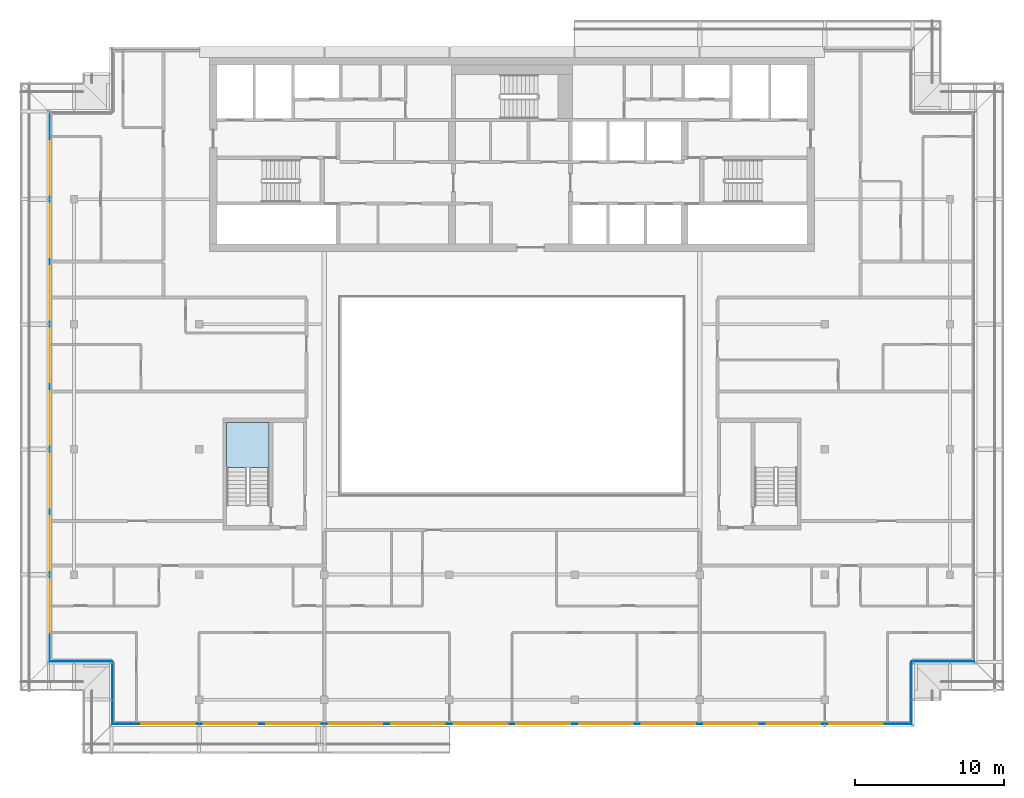
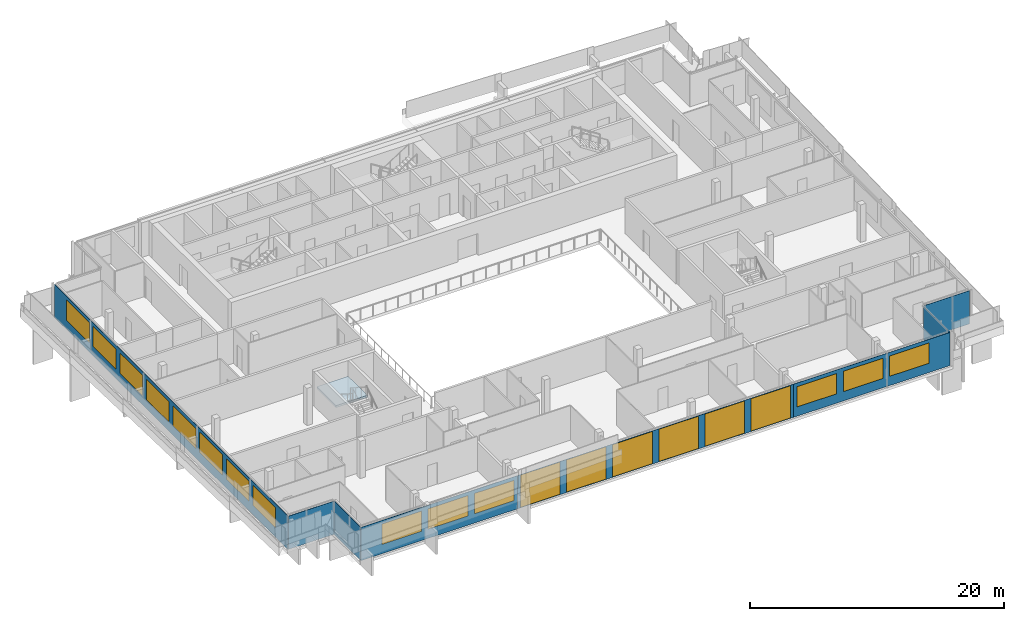
# One storey, part 13 of 27: 20 windows, 8 plates, 1 slab, 20 openings, 7 elements without a shape of their own.
"""IFC4 building model written with IfcOpenShell, lengths in metres."""

from ifc_helpers import new_model, si_unit, direction, frame, frame_2d, origin, place, context, subcontext, project, spatial, polyline, rectangle, outline, extrude, material, layer, layer_set, type_object, element, fill, aggregate, save


model = new_model("IFC4")

# Units and contexts
model_context = context("Model", 3, precision=1e-05, world=origin(), true_north=direction((0.0, 1.0)))
body_context = subcontext(model_context, "Body", "Model", "MODEL_VIEW")
ifc_project = project(units=[si_unit("LENGTHUNIT", "METRE"), si_unit("AREAUNIT", "SQUARE_METRE"), si_unit("VOLUMEUNIT", "CUBIC_METRE"), si_unit("PLANEANGLEUNIT", "RADIAN"), si_unit("MASSUNIT", "GRAM", prefix="KILO")], contexts=[model_context])

# Site, building, storey
site_placement = place(None, origin())
site = spatial("IfcSite", under=ifc_project, at=site_placement, CompositionType="ELEMENT")
building_placement = place(site_placement, origin())
building = spatial("IfcBuilding", under=site, at=building_placement, Name="Saffron Gate Tower", CompositionType="ELEMENT")
storey_placement = place(building_placement, frame((0.0, 0.0, 274.35009765625)))
storey = spatial("IfcBuildingStorey", under=building, at=storey_placement, Name="L66", CompositionType="ELEMENT", Elevation=274.35009765625)

# Curtain wall, plates, openings, windows
ifc_material_1 = material(Name="Aluminium, bronze anodised", Category="aluminium")
curtain_wall_type_1 = type_object("IfcCurtainWallType", Name="CWS1 curtain wall front facade", PredefinedType="NOTDEFINED", material=ifc_material_1)
curtain_wall_1_placement = place(storey_placement, origin())
curtain_wall_1 = element("IfcCurtainWall", 1, at=curtain_wall_1_placement, inside=storey, type_object=curtain_wall_type_1, Name="CWS1 run 1", PredefinedType="NOTDEFINED")
ifc_material_2 = material(Name="Clear low-iron laminated glass", Category="glass")
ifc_layer_1 = layer(ifc_material_2, 0.028076171875)
ifc_layer_set_1 = layer_set([ifc_layer_1], Name="CWS1 clear glass")
plate_type_1 = type_object("IfcPlateType", Name="CWS1 clear glass", PredefinedType="CURTAIN_PANEL", material=ifc_layer_set_1)
plate_1_placement = place(storey_placement, frame((75.030029296875, 30.174072265625, 0.0), z_axis=(0.0, 0.0, 1.0), x_axis=(1.0, 0.0, 0.0)))
plate_1 = element("IfcPlate", 2, at=plate_1_placement, type_object=plate_type_1, Name="CWS1 clear glass panel", PredefinedType="CURTAIN_PANEL", context=body_context, shape_type="SweptSolid", body=[
    extrude(rectangle(XDim=25.139892578125, YDim=0.028076171875, at=frame_2d((12.56982421875, 0.0))), origin(), (0.0, 0.0, 1.0), 3.199951171875),
])
opening_1_placement = place(plate_1_placement, frame((0.27001953125, 0.0, 0.050048828125)))
opening_1 = element("IfcOpeningElement", 3, at=opening_1_placement, cuts=plate_1, Name="Opening WA", PredefinedType="OPENING", context=body_context, shape_type="SweptSolid", body=[
    extrude(rectangle(XDim=3.60009765625, YDim=3.10009765625, at=frame_2d((1.800048828125, 1.550048828125))), frame((0.0, 0.02392578125, 0.0), z_axis=(0.0, -1.0, 0.0), x_axis=(1.0, 0.0, 0.0)), (0.0, 0.0, 1.0), 0.048095703125),
])
opening_2_placement = place(plate_1_placement, frame((4.469970703125, 0.0, 0.050048828125)))
opening_2 = element("IfcOpeningElement", 4, at=opening_2_placement, cuts=plate_1, Name="Opening WA", PredefinedType="OPENING", context=body_context, shape_type="SweptSolid", body=[
    extrude(rectangle(XDim=3.60009765625, YDim=3.10009765625, at=frame_2d((1.800048828125, 1.550048828125))), frame((0.0, 0.02392578125, 0.0), z_axis=(0.0, -1.0, 0.0), x_axis=(1.0, 0.0, 0.0)), (0.0, 0.0, 1.0), 0.048095703125),
])
opening_3_placement = place(plate_1_placement, frame((8.669921875, 0.0, 0.050048828125)))
opening_3 = element("IfcOpeningElement", 5, at=opening_3_placement, cuts=plate_1, Name="Opening WA", PredefinedType="OPENING", context=body_context, shape_type="SweptSolid", body=[
    extrude(rectangle(XDim=3.60009765625, YDim=3.10009765625, at=frame_2d((1.800048828125, 1.550048828125))), frame((0.0, 0.02392578125, 0.0), z_axis=(0.0, -1.0, 0.0), x_axis=(1.0, 0.0, 0.0)), (0.0, 0.0, 1.0), 0.048095703125),
])
opening_4_placement = place(plate_1_placement, frame((12.8701171875, 0.0, 0.050048828125)))
opening_4 = element("IfcOpeningElement", 6, at=opening_4_placement, cuts=plate_1, Name="Opening WA", PredefinedType="OPENING", context=body_context, shape_type="SweptSolid", body=[
    extrude(rectangle(XDim=3.60009765625, YDim=3.10009765625, at=frame_2d((1.800048828125, 1.550048828125))), frame((0.0, 0.02392578125, 0.0), z_axis=(0.0, -1.0, 0.0), x_axis=(1.0, 0.0, 0.0)), (0.0, 0.0, 1.0), 0.048095703125),
])
opening_5_placement = place(plate_1_placement, frame((17.070068359375, 0.0, 0.050048828125)))
opening_5 = element("IfcOpeningElement", 7, at=opening_5_placement, cuts=plate_1, Name="Opening WA", PredefinedType="OPENING", context=body_context, shape_type="SweptSolid", body=[
    extrude(rectangle(XDim=3.60009765625, YDim=3.10009765625, at=frame_2d((1.800048828125, 1.550048828125))), frame((0.0, 0.02392578125, 0.0), z_axis=(0.0, -1.0, 0.0), x_axis=(1.0, 0.0, 0.0)), (0.0, 0.0, 1.0), 0.048095703125),
])
opening_6_placement = place(plate_1_placement, frame((21.27001953125, 0.0, 0.050048828125)))
opening_6 = element("IfcOpeningElement", 8, at=opening_6_placement, cuts=plate_1, Name="Opening WA", PredefinedType="OPENING", context=body_context, shape_type="SweptSolid", body=[
    extrude(rectangle(XDim=3.60009765625, YDim=3.10009765625, at=frame_2d((1.800048828125, 1.550048828125))), frame((0.0, 0.02392578125, 0.0), z_axis=(0.0, -1.0, 0.0), x_axis=(1.0, 0.0, 0.0)), (0.0, 0.0, 1.0), 0.048095703125),
])
ifc_material_3 = material(Name="Clear low-iron laminated glass in bronze frame", Category="glass")
ifc_layer_2 = layer(ifc_material_3, 0.06005859375)
ifc_layer_set_2 = layer_set([ifc_layer_2], Name="WA operable atrium unit 3600x3100")
window_type_1 = type_object("IfcWindowType", Name="WA operable atrium unit 3600x3100", PartitioningType="DOUBLE_PANEL_HORIZONTAL", PredefinedType="WINDOW", material=ifc_layer_set_2)
window_1_placement = place(opening_1_placement, origin())
window_1 = element("IfcWindow", 9, at=window_1_placement, type_object=window_type_1, Name="WA operable atrium unit", OverallHeight=3.10009765625, OverallWidth=3.60009765625, PartitioningType="SINGLE_PANEL", PredefinedType="WINDOW", context=body_context, shape_type="SweptSolid", body=[
    extrude(rectangle(XDim=3.60009765625, YDim=3.10009765625, at=frame_2d((1.800048828125, 1.550048828125))), frame((0.0, 0.013671875, 0.0), z_axis=(0.0, -1.0, 0.0), x_axis=(1.0, 0.0, 0.0)), (0.0, 0.0, 1.0), 0.027587890625),
])
fill(opening_1, window_1)
window_2_placement = place(opening_2_placement, origin())
window_2 = element("IfcWindow", 10, at=window_2_placement, type_object=window_type_1, Name="WA operable atrium unit", OverallHeight=3.10009765625, OverallWidth=3.60009765625, PartitioningType="SINGLE_PANEL", PredefinedType="WINDOW", context=body_context, shape_type="SweptSolid", body=[
    extrude(rectangle(XDim=3.60009765625, YDim=3.10009765625, at=frame_2d((1.800048828125, 1.550048828125))), frame((0.0, 0.013671875, 0.0), z_axis=(0.0, -1.0, 0.0), x_axis=(1.0, 0.0, 0.0)), (0.0, 0.0, 1.0), 0.027587890625),
])
fill(opening_2, window_2)
window_3_placement = place(opening_3_placement, origin())
window_3 = element("IfcWindow", 11, at=window_3_placement, type_object=window_type_1, Name="WA operable atrium unit", OverallHeight=3.10009765625, OverallWidth=3.60009765625, PartitioningType="SINGLE_PANEL", PredefinedType="WINDOW", context=body_context, shape_type="SweptSolid", body=[
    extrude(rectangle(XDim=3.60009765625, YDim=3.10009765625, at=frame_2d((1.800048828125, 1.550048828125))), frame((0.0, 0.013671875, 0.0), z_axis=(0.0, -1.0, 0.0), x_axis=(1.0, 0.0, 0.0)), (0.0, 0.0, 1.0), 0.027587890625),
])
fill(opening_3, window_3)
window_4_placement = place(opening_4_placement, origin())
window_4 = element("IfcWindow", 12, at=window_4_placement, type_object=window_type_1, Name="WA operable atrium unit", OverallHeight=3.10009765625, OverallWidth=3.60009765625, PartitioningType="SINGLE_PANEL", PredefinedType="WINDOW", context=body_context, shape_type="SweptSolid", body=[
    extrude(rectangle(XDim=3.60009765625, YDim=3.10009765625, at=frame_2d((1.800048828125, 1.550048828125))), frame((0.0, 0.013671875, 0.0), z_axis=(0.0, -1.0, 0.0), x_axis=(1.0, 0.0, 0.0)), (0.0, 0.0, 1.0), 0.027587890625),
])
fill(opening_4, window_4)
window_5_placement = place(opening_5_placement, origin())
window_5 = element("IfcWindow", 13, at=window_5_placement, type_object=window_type_1, Name="WA operable atrium unit", OverallHeight=3.10009765625, OverallWidth=3.60009765625, PartitioningType="SINGLE_PANEL", PredefinedType="WINDOW", context=body_context, shape_type="SweptSolid", body=[
    extrude(rectangle(XDim=3.60009765625, YDim=3.10009765625, at=frame_2d((1.800048828125, 1.550048828125))), frame((0.0, 0.013671875, 0.0), z_axis=(0.0, -1.0, 0.0), x_axis=(1.0, 0.0, 0.0)), (0.0, 0.0, 1.0), 0.027587890625),
])
fill(opening_5, window_5)
window_6_placement = place(opening_6_placement, origin())
window_6 = element("IfcWindow", 14, at=window_6_placement, type_object=window_type_1, Name="WA operable atrium unit", OverallHeight=3.10009765625, OverallWidth=3.60009765625, PartitioningType="SINGLE_PANEL", PredefinedType="WINDOW", context=body_context, shape_type="SweptSolid", body=[
    extrude(rectangle(XDim=3.60009765625, YDim=3.10009765625, at=frame_2d((1.800048828125, 1.550048828125))), frame((0.0, 0.013671875, 0.0), z_axis=(0.0, -1.0, 0.0), x_axis=(1.0, 0.0, 0.0)), (0.0, 0.0, 1.0), 0.027587890625),
])
fill(opening_6, window_6)
ifc_material_4 = material(Name="Fritted bronze-tinted laminated glass", Category="glass")
ifc_layer_3 = layer(ifc_material_4, 0.028076171875)
ifc_layer_set_3 = layer_set([ifc_layer_3], Name="CWS1 fixed glass")
plate_type_2 = type_object("IfcPlateType", Name="CWS1 fixed glass", PredefinedType="CURTAIN_PANEL", material=ifc_layer_set_3)
plate_2_placement = place(storey_placement, frame((60.7880859375, 30.174072265625, 0.0), z_axis=(0.0, 0.0, 1.0), x_axis=(1.0, 0.0, 0.0)))
plate_2 = element("IfcPlate", 15, at=plate_2_placement, type_object=plate_type_2, Name="CWS1 glass panel", PredefinedType="CURTAIN_PANEL", context=body_context, shape_type="SweptSolid", body=[
    extrude(rectangle(XDim=14.241943359375, YDim=0.028076171875, at=frame_2d((7.12109375, 0.0))), origin(), (0.0, 0.0, 1.0), 3.199951171875),
])
opening_7_placement = place(plate_2_placement, frame((1.912109375, 0.0, 0.89990234375)))
opening_7 = element("IfcOpeningElement", 16, at=opening_7_placement, cuts=plate_2, Name="Opening W1", PredefinedType="OPENING", context=body_context, shape_type="SweptSolid", body=[
    extrude(rectangle(XDim=3.60009765625, YDim=1.949951171875, at=frame_2d((1.800048828125, 0.97509765625))), frame((0.0, 0.02392578125, 0.0), z_axis=(0.0, -1.0, 0.0), x_axis=(1.0, 0.0, 0.0)), (0.0, 0.0, 1.0), 0.048095703125),
])
opening_8_placement = place(plate_2_placement, frame((6.112060546875, 0.0, 0.89990234375)))
opening_8 = element("IfcOpeningElement", 17, at=opening_8_placement, cuts=plate_2, Name="Opening W1", PredefinedType="OPENING", context=body_context, shape_type="SweptSolid", body=[
    extrude(rectangle(XDim=3.60009765625, YDim=1.949951171875, at=frame_2d((1.800048828125, 0.97509765625))), frame((0.0, 0.02392578125, 0.0), z_axis=(0.0, -1.0, 0.0), x_axis=(1.0, 0.0, 0.0)), (0.0, 0.0, 1.0), 0.048095703125),
])
opening_9_placement = place(plate_2_placement, frame((10.31201171875, 0.0, 0.89990234375)))
opening_9 = element("IfcOpeningElement", 18, at=opening_9_placement, cuts=plate_2, Name="Opening W1", PredefinedType="OPENING", context=body_context, shape_type="SweptSolid", body=[
    extrude(rectangle(XDim=3.60009765625, YDim=1.949951171875, at=frame_2d((1.800048828125, 0.97509765625))), frame((0.0, 0.02392578125, 0.0), z_axis=(0.0, -1.0, 0.0), x_axis=(1.0, 0.0, 0.0)), (0.0, 0.0, 1.0), 0.048095703125),
])
ifc_material_5 = material(Name="Fritted bronze-tinted laminated glass in bronze frame", Category="glass")
ifc_layer_4 = layer(ifc_material_5, 0.06005859375)
ifc_layer_set_4 = layer_set([ifc_layer_4], Name="W1 operable panel 3600x1950")
window_type_2 = type_object("IfcWindowType", Name="W1 operable panel 3600x1950", PartitioningType="DOUBLE_PANEL_HORIZONTAL", PredefinedType="WINDOW", material=ifc_layer_set_4)
window_7_placement = place(opening_7_placement, origin())
window_7 = element("IfcWindow", 19, at=window_7_placement, type_object=window_type_2, Name="W1 operable panel", OverallHeight=1.949951171875, OverallWidth=3.60009765625, PartitioningType="SINGLE_PANEL", PredefinedType="WINDOW", context=body_context, shape_type="SweptSolid", body=[
    extrude(rectangle(XDim=3.60009765625, YDim=1.949951171875, at=frame_2d((1.800048828125, 0.97509765625))), frame((0.0, 0.013671875, 0.0), z_axis=(0.0, -1.0, 0.0), x_axis=(1.0, 0.0, 0.0)), (0.0, 0.0, 1.0), 0.027587890625),
])
fill(opening_7, window_7)
window_8_placement = place(opening_8_placement, origin())
window_8 = element("IfcWindow", 20, at=window_8_placement, type_object=window_type_2, Name="W1 operable panel", OverallHeight=1.949951171875, OverallWidth=3.60009765625, PartitioningType="SINGLE_PANEL", PredefinedType="WINDOW", context=body_context, shape_type="SweptSolid", body=[
    extrude(rectangle(XDim=3.60009765625, YDim=1.949951171875, at=frame_2d((1.800048828125, 0.97509765625))), frame((0.0, 0.013671875, 0.0), z_axis=(0.0, -1.0, 0.0), x_axis=(1.0, 0.0, 0.0)), (0.0, 0.0, 1.0), 0.027587890625),
])
fill(opening_8, window_8)
window_9_placement = place(opening_9_placement, origin())
window_9 = element("IfcWindow", 21, at=window_9_placement, type_object=window_type_2, Name="W1 operable panel", OverallHeight=1.949951171875, OverallWidth=3.60009765625, PartitioningType="SINGLE_PANEL", PredefinedType="WINDOW", context=body_context, shape_type="SweptSolid", body=[
    extrude(rectangle(XDim=3.60009765625, YDim=1.949951171875, at=frame_2d((1.800048828125, 0.97509765625))), frame((0.0, 0.013671875, 0.0), z_axis=(0.0, -1.0, 0.0), x_axis=(1.0, 0.0, 0.0)), (0.0, 0.0, 1.0), 0.027587890625),
])
fill(opening_9, window_9)
plate_3_placement = place(storey_placement, frame((100.169921875, 30.174072265625, 0.0), z_axis=(0.0, 0.0, 1.0), x_axis=(1.0, 0.0, 0.0)))
plate_3 = element("IfcPlate", 22, at=plate_3_placement, type_object=plate_type_2, Name="CWS1 glass panel", PredefinedType="CURTAIN_PANEL", context=body_context, shape_type="SweptSolid", body=[
    extrude(rectangle(XDim=14.2421875, YDim=0.028076171875, at=frame_2d((7.12109375, 0.0))), origin(), (0.0, 0.0, 1.0), 3.199951171875),
])
opening_10_placement = place(plate_3_placement, frame((0.330078125, 0.0, 0.89990234375)))
opening_10 = element("IfcOpeningElement", 23, at=opening_10_placement, cuts=plate_3, Name="Opening W1", PredefinedType="OPENING", context=body_context, shape_type="SweptSolid", body=[
    extrude(rectangle(XDim=3.60009765625, YDim=1.949951171875, at=frame_2d((1.800048828125, 0.97509765625))), frame((0.0, 0.02392578125, 0.0), z_axis=(0.0, -1.0, 0.0), x_axis=(1.0, 0.0, 0.0)), (0.0, 0.0, 1.0), 0.048095703125),
])
opening_11_placement = place(plate_3_placement, frame((4.530029296875, 0.0, 0.89990234375)))
opening_11 = element("IfcOpeningElement", 24, at=opening_11_placement, cuts=plate_3, Name="Opening W1", PredefinedType="OPENING", context=body_context, shape_type="SweptSolid", body=[
    extrude(rectangle(XDim=3.60009765625, YDim=1.949951171875, at=frame_2d((1.800048828125, 0.97509765625))), frame((0.0, 0.02392578125, 0.0), z_axis=(0.0, -1.0, 0.0), x_axis=(1.0, 0.0, 0.0)), (0.0, 0.0, 1.0), 0.048095703125),
])
opening_12_placement = place(plate_3_placement, frame((8.72998046875, 0.0, 0.89990234375)))
opening_12 = element("IfcOpeningElement", 25, at=opening_12_placement, cuts=plate_3, Name="Opening W1", PredefinedType="OPENING", context=body_context, shape_type="SweptSolid", body=[
    extrude(rectangle(XDim=3.60009765625, YDim=1.949951171875, at=frame_2d((1.800048828125, 0.97509765625))), frame((0.0, 0.02392578125, 0.0), z_axis=(0.0, -1.0, 0.0), x_axis=(1.0, 0.0, 0.0)), (0.0, 0.0, 1.0), 0.048095703125),
])
window_10_placement = place(opening_10_placement, origin())
window_10 = element("IfcWindow", 26, at=window_10_placement, type_object=window_type_2, Name="W1 operable panel", OverallHeight=1.949951171875, OverallWidth=3.60009765625, PartitioningType="SINGLE_PANEL", PredefinedType="WINDOW", context=body_context, shape_type="SweptSolid", body=[
    extrude(rectangle(XDim=3.60009765625, YDim=1.949951171875, at=frame_2d((1.800048828125, 0.97509765625))), frame((0.0, 0.013671875, 0.0), z_axis=(0.0, -1.0, 0.0), x_axis=(1.0, 0.0, 0.0)), (0.0, 0.0, 1.0), 0.027587890625),
])
fill(opening_10, window_10)
window_11_placement = place(opening_11_placement, origin())
window_11 = element("IfcWindow", 27, at=window_11_placement, type_object=window_type_2, Name="W1 operable panel", OverallHeight=1.949951171875, OverallWidth=3.60009765625, PartitioningType="SINGLE_PANEL", PredefinedType="WINDOW", context=body_context, shape_type="SweptSolid", body=[
    extrude(rectangle(XDim=3.60009765625, YDim=1.949951171875, at=frame_2d((1.800048828125, 0.97509765625))), frame((0.0, 0.013671875, 0.0), z_axis=(0.0, -1.0, 0.0), x_axis=(1.0, 0.0, 0.0)), (0.0, 0.0, 1.0), 0.027587890625),
])
fill(opening_11, window_11)
window_12_placement = place(opening_12_placement, origin())
window_12 = element("IfcWindow", 28, at=window_12_placement, type_object=window_type_2, Name="W1 operable panel", OverallHeight=1.949951171875, OverallWidth=3.60009765625, PartitioningType="SINGLE_PANEL", PredefinedType="WINDOW", context=body_context, shape_type="SweptSolid", body=[
    extrude(rectangle(XDim=3.60009765625, YDim=1.949951171875, at=frame_2d((1.800048828125, 0.97509765625))), frame((0.0, 0.013671875, 0.0), z_axis=(0.0, -1.0, 0.0), x_axis=(1.0, 0.0, 0.0)), (0.0, 0.0, 1.0), 0.027587890625),
])
fill(opening_12, window_12)
aggregate(curtain_wall_1, [plate_2, plate_3, plate_1, window_7, window_8, window_9, window_10, window_11, window_12, window_1, window_2, window_3, window_4, window_5, window_6])

# Curtain wall, plate, openings, windows
curtain_wall_type_2 = type_object("IfcCurtainWallType", Name="CWS2 curtain wall side facades", PredefinedType="NOTDEFINED", material=ifc_material_1)
curtain_wall_2_placement = place(storey_placement, origin())
curtain_wall_2 = element("IfcCurtainWall", 29, at=curtain_wall_2_placement, inside=storey, type_object=curtain_wall_type_2, Name="CWS2 run 10", PredefinedType="NOTDEFINED")
ifc_layer_5 = layer(ifc_material_4, 0.028076171875)
ifc_layer_set_5 = layer_set([ifc_layer_5], Name="CWS2 fixed glass")
plate_type_3 = type_object("IfcPlateType", Name="CWS2 fixed glass", PredefinedType="CURTAIN_PANEL", material=ifc_layer_set_5)
plate_4_placement = place(storey_placement, frame((56.573974609375, 71.2119140625, 0.0), z_axis=(0.0, 0.0, 1.0), x_axis=(0.0, -1.0, 0.0)))
plate_4 = element("IfcPlate", 30, at=plate_4_placement, type_object=plate_type_3, Name="CWS2 glass panel", PredefinedType="CURTAIN_PANEL", context=body_context, shape_type="SweptSolid", body=[
    extrude(rectangle(XDim=36.823974609375, YDim=0.028076171875, at=frame_2d((18.412109375, 0.0))), origin(), (0.0, 0.0, 1.0), 3.199951171875),
])
opening_13_placement = place(plate_4_placement, frame((1.912109375, 0.0, 0.89990234375)))
opening_13 = element("IfcOpeningElement", 31, at=opening_13_placement, cuts=plate_4, Name="Opening W1", PredefinedType="OPENING", context=body_context, shape_type="SweptSolid", body=[
    extrude(rectangle(XDim=3.60009765625, YDim=1.949951171875, at=frame_2d((1.800048828125, 0.97509765625))), frame((0.0, 0.02392578125, 0.0), z_axis=(0.0, -1.0, 0.0), x_axis=(1.0, 0.0, 0.0)), (0.0, 0.0, 1.0), 0.048095703125),
])
opening_14_placement = place(plate_4_placement, frame((6.112060546875, 0.0, 0.89990234375)))
opening_14 = element("IfcOpeningElement", 32, at=opening_14_placement, cuts=plate_4, Name="Opening W1", PredefinedType="OPENING", context=body_context, shape_type="SweptSolid", body=[
    extrude(rectangle(XDim=3.60009765625, YDim=1.949951171875, at=frame_2d((1.800048828125, 0.97509765625))), frame((0.0, 0.02392578125, 0.0), z_axis=(0.0, -1.0, 0.0), x_axis=(1.0, 0.0, 0.0)), (0.0, 0.0, 1.0), 0.048095703125),
])
opening_15_placement = place(plate_4_placement, frame((10.31201171875, 0.0, 0.89990234375)))
opening_15 = element("IfcOpeningElement", 33, at=opening_15_placement, cuts=plate_4, Name="Opening W1", PredefinedType="OPENING", context=body_context, shape_type="SweptSolid", body=[
    extrude(rectangle(XDim=3.60009765625, YDim=1.949951171875, at=frame_2d((1.800048828125, 0.97509765625))), frame((0.0, 0.02392578125, 0.0), z_axis=(0.0, -1.0, 0.0), x_axis=(1.0, 0.0, 0.0)), (0.0, 0.0, 1.0), 0.048095703125),
])
opening_16_placement = place(plate_4_placement, frame((14.511962890625, 0.0, 0.89990234375)))
opening_16 = element("IfcOpeningElement", 34, at=opening_16_placement, cuts=plate_4, Name="Opening W1", PredefinedType="OPENING", context=body_context, shape_type="SweptSolid", body=[
    extrude(rectangle(XDim=3.60009765625, YDim=1.949951171875, at=frame_2d((1.800048828125, 0.97509765625))), frame((0.0, 0.02392578125, 0.0), z_axis=(0.0, -1.0, 0.0), x_axis=(1.0, 0.0, 0.0)), (0.0, 0.0, 1.0), 0.048095703125),
])
opening_17_placement = place(plate_4_placement, frame((18.7119140625, 0.0, 0.89990234375)))
opening_17 = element("IfcOpeningElement", 35, at=opening_17_placement, cuts=plate_4, Name="Opening W1", PredefinedType="OPENING", context=body_context, shape_type="SweptSolid", body=[
    extrude(rectangle(XDim=3.60009765625, YDim=1.949951171875, at=frame_2d((1.800048828125, 0.97509765625))), frame((0.0, 0.02392578125, 0.0), z_axis=(0.0, -1.0, 0.0), x_axis=(1.0, 0.0, 0.0)), (0.0, 0.0, 1.0), 0.048095703125),
])
opening_18_placement = place(plate_4_placement, frame((22.912109375, 0.0, 0.89990234375)))
opening_18 = element("IfcOpeningElement", 36, at=opening_18_placement, cuts=plate_4, Name="Opening W1", PredefinedType="OPENING", context=body_context, shape_type="SweptSolid", body=[
    extrude(rectangle(XDim=3.60009765625, YDim=1.949951171875, at=frame_2d((1.800048828125, 0.97509765625))), frame((0.0, 0.02392578125, 0.0), z_axis=(0.0, -1.0, 0.0), x_axis=(1.0, 0.0, 0.0)), (0.0, 0.0, 1.0), 0.048095703125),
])
opening_19_placement = place(plate_4_placement, frame((27.112060546875, 0.0, 0.89990234375)))
opening_19 = element("IfcOpeningElement", 37, at=opening_19_placement, cuts=plate_4, Name="Opening W1", PredefinedType="OPENING", context=body_context, shape_type="SweptSolid", body=[
    extrude(rectangle(XDim=3.60009765625, YDim=1.949951171875, at=frame_2d((1.800048828125, 0.97509765625))), frame((0.0, 0.02392578125, 0.0), z_axis=(0.0, -1.0, 0.0), x_axis=(1.0, 0.0, 0.0)), (0.0, 0.0, 1.0), 0.048095703125),
])
opening_20_placement = place(plate_4_placement, frame((31.31201171875, 0.0, 0.89990234375)))
opening_20 = element("IfcOpeningElement", 38, at=opening_20_placement, cuts=plate_4, Name="Opening W1", PredefinedType="OPENING", context=body_context, shape_type="SweptSolid", body=[
    extrude(rectangle(XDim=3.60009765625, YDim=1.949951171875, at=frame_2d((1.800048828125, 0.97509765625))), frame((0.0, 0.02392578125, 0.0), z_axis=(0.0, -1.0, 0.0), x_axis=(1.0, 0.0, 0.0)), (0.0, 0.0, 1.0), 0.048095703125),
])
window_13_placement = place(opening_13_placement, origin())
window_13 = element("IfcWindow", 39, at=window_13_placement, type_object=window_type_2, Name="W1 operable panel", OverallHeight=1.949951171875, OverallWidth=3.60009765625, PartitioningType="SINGLE_PANEL", PredefinedType="WINDOW", context=body_context, shape_type="SweptSolid", body=[
    extrude(rectangle(XDim=3.60009765625, YDim=1.949951171875, at=frame_2d((1.800048828125, 0.97509765625))), frame((0.0, 0.013671875, 0.0), z_axis=(0.0, -1.0, 0.0), x_axis=(1.0, 0.0, 0.0)), (0.0, 0.0, 1.0), 0.027587890625),
])
fill(opening_13, window_13)
window_14_placement = place(opening_14_placement, origin())
window_14 = element("IfcWindow", 40, at=window_14_placement, type_object=window_type_2, Name="W1 operable panel", OverallHeight=1.949951171875, OverallWidth=3.60009765625, PartitioningType="SINGLE_PANEL", PredefinedType="WINDOW", context=body_context, shape_type="SweptSolid", body=[
    extrude(rectangle(XDim=3.60009765625, YDim=1.949951171875, at=frame_2d((1.800048828125, 0.97509765625))), frame((0.0, 0.013671875, 0.0), z_axis=(0.0, -1.0, 0.0), x_axis=(1.0, 0.0, 0.0)), (0.0, 0.0, 1.0), 0.027587890625),
])
fill(opening_14, window_14)
window_15_placement = place(opening_15_placement, origin())
window_15 = element("IfcWindow", 41, at=window_15_placement, type_object=window_type_2, Name="W1 operable panel", OverallHeight=1.949951171875, OverallWidth=3.60009765625, PartitioningType="SINGLE_PANEL", PredefinedType="WINDOW", context=body_context, shape_type="SweptSolid", body=[
    extrude(rectangle(XDim=3.60009765625, YDim=1.949951171875, at=frame_2d((1.800048828125, 0.97509765625))), frame((0.0, 0.013671875, 0.0), z_axis=(0.0, -1.0, 0.0), x_axis=(1.0, 0.0, 0.0)), (0.0, 0.0, 1.0), 0.027587890625),
])
fill(opening_15, window_15)
window_16_placement = place(opening_16_placement, origin())
window_16 = element("IfcWindow", 42, at=window_16_placement, type_object=window_type_2, Name="W1 operable panel", OverallHeight=1.949951171875, OverallWidth=3.60009765625, PartitioningType="SINGLE_PANEL", PredefinedType="WINDOW", context=body_context, shape_type="SweptSolid", body=[
    extrude(rectangle(XDim=3.60009765625, YDim=1.949951171875, at=frame_2d((1.800048828125, 0.97509765625))), frame((0.0, 0.013671875, 0.0), z_axis=(0.0, -1.0, 0.0), x_axis=(1.0, 0.0, 0.0)), (0.0, 0.0, 1.0), 0.027587890625),
])
fill(opening_16, window_16)
window_17_placement = place(opening_17_placement, origin())
window_17 = element("IfcWindow", 43, at=window_17_placement, type_object=window_type_2, Name="W1 operable panel", OverallHeight=1.949951171875, OverallWidth=3.60009765625, PartitioningType="SINGLE_PANEL", PredefinedType="WINDOW", context=body_context, shape_type="SweptSolid", body=[
    extrude(rectangle(XDim=3.60009765625, YDim=1.949951171875, at=frame_2d((1.800048828125, 0.97509765625))), frame((0.0, 0.013671875, 0.0), z_axis=(0.0, -1.0, 0.0), x_axis=(1.0, 0.0, 0.0)), (0.0, 0.0, 1.0), 0.027587890625),
])
fill(opening_17, window_17)
window_18_placement = place(opening_18_placement, origin())
window_18 = element("IfcWindow", 44, at=window_18_placement, type_object=window_type_2, Name="W1 operable panel", OverallHeight=1.949951171875, OverallWidth=3.60009765625, PartitioningType="SINGLE_PANEL", PredefinedType="WINDOW", context=body_context, shape_type="SweptSolid", body=[
    extrude(rectangle(XDim=3.60009765625, YDim=1.949951171875, at=frame_2d((1.800048828125, 0.97509765625))), frame((0.0, 0.013671875, 0.0), z_axis=(0.0, -1.0, 0.0), x_axis=(1.0, 0.0, 0.0)), (0.0, 0.0, 1.0), 0.027587890625),
])
fill(opening_18, window_18)
window_19_placement = place(opening_19_placement, origin())
window_19 = element("IfcWindow", 45, at=window_19_placement, type_object=window_type_2, Name="W1 operable panel", OverallHeight=1.949951171875, OverallWidth=3.60009765625, PartitioningType="SINGLE_PANEL", PredefinedType="WINDOW", context=body_context, shape_type="SweptSolid", body=[
    extrude(rectangle(XDim=3.60009765625, YDim=1.949951171875, at=frame_2d((1.800048828125, 0.97509765625))), frame((0.0, 0.013671875, 0.0), z_axis=(0.0, -1.0, 0.0), x_axis=(1.0, 0.0, 0.0)), (0.0, 0.0, 1.0), 0.027587890625),
])
fill(opening_19, window_19)
window_20_placement = place(opening_20_placement, origin())
window_20 = element("IfcWindow", 46, at=window_20_placement, type_object=window_type_2, Name="W1 operable panel", OverallHeight=1.949951171875, OverallWidth=3.60009765625, PartitioningType="SINGLE_PANEL", PredefinedType="WINDOW", context=body_context, shape_type="SweptSolid", body=[
    extrude(rectangle(XDim=3.60009765625, YDim=1.949951171875, at=frame_2d((1.800048828125, 0.97509765625))), frame((0.0, 0.013671875, 0.0), z_axis=(0.0, -1.0, 0.0), x_axis=(1.0, 0.0, 0.0)), (0.0, 0.0, 1.0), 0.027587890625),
])
fill(opening_20, window_20)
aggregate(curtain_wall_2, [plate_4, window_13, window_14, window_15, window_16, window_17, window_18, window_19, window_20])

# Curtain wall, plate
curtain_wall_type_3 = type_object("IfcCurtainWallType", Name="CWS4 curtain wall corner returns", PredefinedType="NOTDEFINED", material=ifc_material_1)
curtain_wall_3_placement = place(storey_placement, origin())
curtain_wall_3 = element("IfcCurtainWall", 47, at=curtain_wall_3_placement, inside=storey, type_object=curtain_wall_type_3, Name="CWS4 run 2", PredefinedType="NOTDEFINED")
ifc_layer_6 = layer(ifc_material_4, 0.028076171875)
ifc_layer_set_6 = layer_set([ifc_layer_6], Name="CWS4 fixed glass")
plate_type_4 = type_object("IfcPlateType", Name="CWS4 fixed glass", PredefinedType="CURTAIN_PANEL", material=ifc_layer_set_6)
plate_5_placement = place(storey_placement, frame((114.426025390625, 30.18798828125, 0.0), z_axis=(0.0, 0.0, 1.0), x_axis=(0.0, 1.0, 0.0)))
plate_5 = element("IfcPlate", 48, at=plate_5_placement, type_object=plate_type_4, Name="CWS4 glass panel", PredefinedType="CURTAIN_PANEL", context=body_context, shape_type="SweptSolid", body=[
    extrude(rectangle(XDim=4.172119140625, YDim=0.028076171875, at=frame_2d((2.0859375, 0.0))), origin(), (0.0, 0.0, 1.0), 3.199951171875),
])
aggregate(curtain_wall_3, [plate_5])

curtain_wall_4_placement = place(storey_placement, origin())
curtain_wall_4 = element("IfcCurtainWall", 49, at=curtain_wall_4_placement, inside=storey, type_object=curtain_wall_type_3, Name="CWS4 run 3", PredefinedType="NOTDEFINED")
plate_6_placement = place(storey_placement, frame((114.43994140625, 34.3740234375, 0.0), z_axis=(0.0, 0.0, 1.0), x_axis=(1.0, 0.0, 0.0)))
plate_6 = element("IfcPlate", 50, at=plate_6_placement, type_object=plate_type_4, Name="CWS4 glass panel", PredefinedType="CURTAIN_PANEL", context=body_context, shape_type="SweptSolid", body=[
    extrude(rectangle(XDim=4.172119140625, YDim=0.028076171875, at=frame_2d((2.0859375, 0.0))), origin(), (0.0, 0.0, 1.0), 3.199951171875),
])
aggregate(curtain_wall_4, [plate_6])

curtain_wall_5_placement = place(storey_placement, origin())
curtain_wall_5 = element("IfcCurtainWall", 51, at=curtain_wall_5_placement, inside=storey, type_object=curtain_wall_type_3, Name="CWS4 run 11", PredefinedType="NOTDEFINED")
plate_7_placement = place(storey_placement, frame((56.587890625, 34.3740234375, 0.0), z_axis=(0.0, 0.0, 1.0), x_axis=(1.0, 0.0, 0.0)))
plate_7 = element("IfcPlate", 52, at=plate_7_placement, type_object=plate_type_4, Name="CWS4 glass panel", PredefinedType="CURTAIN_PANEL", context=body_context, shape_type="SweptSolid", body=[
    extrude(rectangle(XDim=4.172119140625, YDim=0.028076171875, at=frame_2d((2.0859375, 0.0))), origin(), (0.0, 0.0, 1.0), 3.199951171875),
])
aggregate(curtain_wall_5, [plate_7])

curtain_wall_6_placement = place(storey_placement, origin())
curtain_wall_6 = element("IfcCurtainWall", 53, at=curtain_wall_6_placement, inside=storey, type_object=curtain_wall_type_3, Name="CWS4 run 12", PredefinedType="NOTDEFINED")
plate_8_placement = place(storey_placement, frame((60.77392578125, 34.360107421875, 0.0), z_axis=(0.0, 0.0, 1.0), x_axis=(0.0, -1.0, 0.0)))
plate_8 = element("IfcPlate", 54, at=plate_8_placement, type_object=plate_type_4, Name="CWS4 glass panel", PredefinedType="CURTAIN_PANEL", context=body_context, shape_type="SweptSolid", body=[
    extrude(rectangle(XDim=4.172119140625, YDim=0.028076171875, at=frame_2d((2.0859375, 0.0))), origin(), (0.0, 0.0, 1.0), 3.199951171875),
])
aggregate(curtain_wall_6, [plate_8])

# Stair, slab
ifc_material_6 = material(Name="Concrete C40", Category="concrete")
stair_type = type_object("IfcStairType", Name="ST7 Stair 1350 wide, 20 risers of 180", PredefinedType="HALF_TURN_STAIR", material=ifc_material_6)
stair_placement = place(storey_placement, origin())
stair = element("IfcStair", 55, at=stair_placement, inside=storey, type_object=stair_type, Name="L66 Exit stair D", PredefinedType="HALF_TURN_STAIR")
ifc_layer_7 = layer(ifc_material_6, 0.199951171875)
ifc_layer_set_7 = layer_set([ifc_layer_7], Name="SL1 Stair landing 200")
slab_type = type_object("IfcSlabType", Name="SL1 Stair landing 200", PredefinedType="LANDING", material=ifc_layer_set_7)
slab_placement = place(storey_placement, frame((0.0, 0.0, 1.599853515625)))
slab = element("IfcSlab", 56, at=slab_placement, type_object=slab_type, Name="ST-D landing 1", PredefinedType="LANDING", context=body_context, shape_type="SweptSolid", body=[
    extrude(outline(polyline([(71.300048828125, 47.3701171875), (71.300048828125, 50.39990234375), (68.449951171875, 50.39990234375), (68.449951171875, 47.3701171875), (71.300048828125, 47.3701171875)])), origin(), (0.0, 0.0, 1.0), 0.199951171875),
])
aggregate(stair, [slab])

save(model, "model.ifc")
